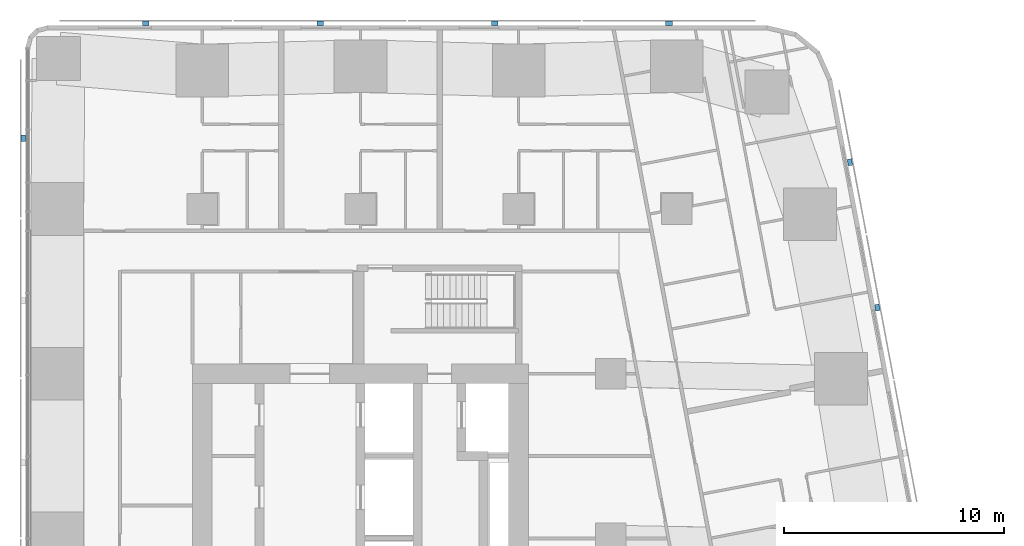
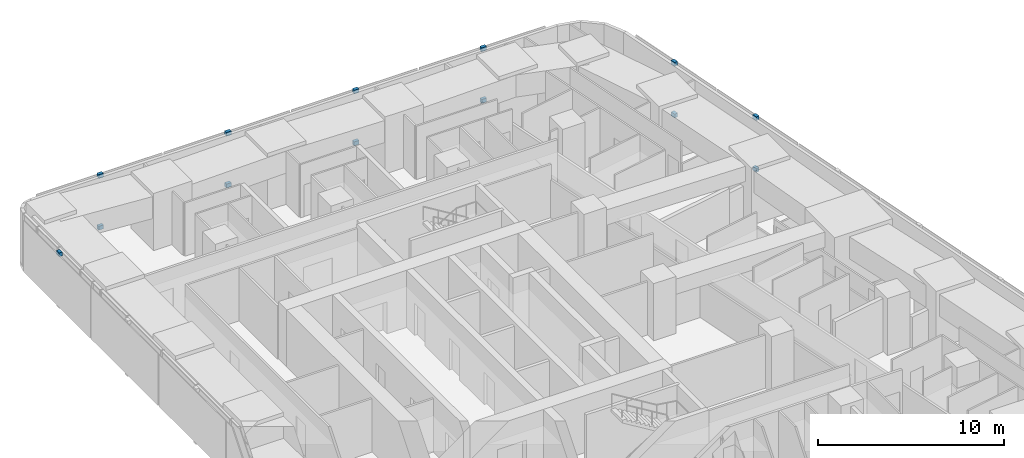
# One storey, part 15 of 17: 13 discrete accessories.
"""IFC4 building model written with IfcOpenShell, lengths in metres."""

import ifcopenshell
import ifcopenshell.guid

model = None  # the IFC model being written
_history = None  # IfcOwnerHistory: only IFC2X3 demands one
_inside = {}  # id of a spatial element -> (the spatial element, [elements in it])
_under = {}  # id of a project, library or spatial element -> (it, [spatial elements below it])
_declared = {}  # id of a project -> (the project, [libraries it declares])
_typed = {}  # id of a type object -> (the type object, [elements of that type])
_made_of = {}  # id of a material, layer set ... -> (it, [elements and type objects made of it])


def new_model(schema):
    """Start an empty IFC model of exactly this schema.

    Asked for "IFC4X3", IfcOpenShell would pick the latest addendum, in which some entities
    have other attributes; the version numbers below select the first issue.
    IFC2X3 requires an IfcOwnerHistory on every rooted entity: one is made here for all.
    """
    global model, _history
    if schema == "IFC4X3":
        model = ifcopenshell.file(schema_version=(4, 3, 0, 0))
    else:
        model = ifcopenshell.file(schema=schema)
    _inside.clear()
    _under.clear()
    _declared.clear()
    _typed.clear()
    _made_of.clear()
    _history = None
    if model.schema == "IFC2X3":
        org = make("IfcOrganization", Name="unknown")
        user = make(
            "IfcPersonAndOrganization",
            ThePerson=make("IfcPerson", FamilyName="unknown"),
            TheOrganization=org,
        )
        app = make(
            "IfcApplication",
            ApplicationDeveloper=org,
            Version="unknown",
            ApplicationFullName="unknown",
            ApplicationIdentifier="unknown",
        )
        _history = make(
            "IfcOwnerHistory",
            OwningUser=user,
            OwningApplication=app,
            ChangeAction="ADDED",
            CreationDate=0,
        )
    return model


def make(cls, **values):
    """One entity of the class cls with the attributes given. An attribute that is None is left unset."""
    return model.create_entity(
        cls, **{name: value for name, value in values.items() if value is not None}
    )


def rooted(cls, **values):
    """An entity with a GlobalId (a new one), such as an element, a storey or a relation."""
    return make(cls, GlobalId=ifcopenshell.guid.new(), OwnerHistory=_history, **values)


def si_unit(unit_type, name, prefix=None):
    """IfcSIUnit, for example si_unit("LENGTHUNIT", "METRE", prefix="MILLI")."""
    return make("IfcSIUnit", UnitType=unit_type, Prefix=prefix, Name=name)


def assignment(units):
    """IfcUnitAssignment: the units of a project."""
    return None if units is None else make("IfcUnitAssignment", Units=units)


def point(xyz):
    """IfcCartesianPoint."""
    return None if xyz is None else make("IfcCartesianPoint", Coordinates=xyz)


def direction(xyz):
    """IfcDirection."""
    return None if xyz is None else make("IfcDirection", DirectionRatios=xyz)


def frame(location, z_axis=None, x_axis=None):
    """IfcAxis2Placement3D, a coordinate frame: its origin and axes. An axis left out is left unset."""
    return make(
        "IfcAxis2Placement3D",
        Location=point(location),
        Axis=direction(z_axis),
        RefDirection=direction(x_axis),
    )


def frame_2d(location, x_axis=None):
    """IfcAxis2Placement2D, a coordinate frame in the plane: its origin and x axis."""
    return make(
        "IfcAxis2Placement2D", Location=point(location), RefDirection=direction(x_axis)
    )


def origin():
    """The frame at (0, 0, 0) with its axes left unset."""
    return frame((0.0, 0.0, 0.0))


def origin_2d():
    """The frame at (0, 0) in the plane with its x axis left unset."""
    return frame_2d((0.0, 0.0))


def place(relative_to, where):
    """IfcLocalPlacement: puts the frame where relative to a parent placement (None: the world)."""
    return make(
        "IfcLocalPlacement", PlacementRelTo=relative_to, RelativePlacement=where
    )


def context(
    kind, dimensions, precision=None, world=None, true_north=None, identifier=None
):
    """IfcGeometricRepresentationContext, for example the 3D "Model" context."""
    return make(
        "IfcGeometricRepresentationContext",
        ContextIdentifier=identifier,
        ContextType=kind,
        CoordinateSpaceDimension=dimensions,
        Precision=precision,
        WorldCoordinateSystem=world,
        TrueNorth=true_north,
    )


def subcontext(parent, identifier, kind, view, scale=None):
    """IfcGeometricRepresentationSubContext, for example "Body" below "Model"."""
    return make(
        "IfcGeometricRepresentationSubContext",
        ContextIdentifier=identifier,
        ContextType=kind,
        ParentContext=parent,
        TargetScale=scale,
        TargetView=view,
    )


def project(units=None, contexts=None):
    """IfcProject with its units and contexts."""
    return rooted(
        "IfcProject",
        Name="project",
        RepresentationContexts=contexts,
        UnitsInContext=assignment(units),
    )


def spatial(cls, under=None, at=None, **own):
    """A site, building, storey or space (cls), placed at a placement, below another one or the project."""
    s = rooted(cls, ObjectPlacement=at, **own)
    if under is not None:
        _under.setdefault(under.id(), (under, []))[1].append(s)
    return s


def profile(cls, at=None, kind="AREA", **sizes):
    """A parametric profile (cls). Its sizes go by their IFC names, for example OverallWidth=200.0."""
    return make(cls, ProfileType=kind, Position=at, **sizes)


def rectangle(**sizes):
    """IfcRectangleProfileDef."""
    return profile("IfcRectangleProfileDef", **sizes)


def extrude(swept, where, along, depth):
    """IfcExtrudedAreaSolid: the profile swept, set in the frame where, extruded along a direction by depth."""
    return make(
        "IfcExtrudedAreaSolid",
        SweptArea=swept,
        Position=where,
        ExtrudedDirection=direction(along),
        Depth=depth,
    )


def shape(context_of_items, identifier, shape_type, items):
    """IfcShapeRepresentation: the items that make up one representation, for example the "Body"."""
    return make(
        "IfcShapeRepresentation",
        ContextOfItems=context_of_items,
        RepresentationIdentifier=identifier,
        RepresentationType=shape_type,
        Items=items,
    )


def material(Name=None, Category=None):
    """IfcMaterial."""
    return make("IfcMaterial", Name=Name, Category=Category)


def made_of(thing, what):
    """Note that an element or type object is made of a material, layer set ...; save() writes the relation."""
    if what is not None:
        _made_of.setdefault(what.id(), (what, []))[1].append(thing)
    return thing


def type_object(cls, material=None, **own):
    """A type object (cls), such as IfcWallType, which elements share."""
    return made_of(rooted(cls, **own), material)


def element(
    cls,
    number,
    at=None,
    inside=None,
    cuts=None,
    type_object=None,
    material=None,
    context=None,
    identifier="Body",
    shape_type=None,
    held_by="IfcProductDefinitionShape",
    body=None,
    shapes=None,
    **own,
):
    """One element of the class cls, such as IfcWall. Its Tag is "e" and its number.

    at: its placement. inside: the storey or other place that contains it. cuts: it is an
    opening in that element (IfcRelVoidsElement). A single representation is given by context,
    identifier, shape_type and body (its items); several are given by shapes. held_by: the class
    of the entity that holds the representations. save() writes the other relations.
    """
    e = rooted(cls, Tag="e%d" % number, ObjectPlacement=at, **own)
    if body is not None:
        shapes = [shape(context, identifier, shape_type, body)]
    if shapes is not None:
        e.Representation = make(held_by, Representations=shapes)
    if inside is not None:
        _inside.setdefault(inside.id(), (inside, []))[1].append(e)
    if cuts is not None:
        rooted(
            "IfcRelVoidsElement", RelatingBuildingElement=cuts, RelatedOpeningElement=e
        )
    if type_object is not None:
        _typed.setdefault(type_object.id(), (type_object, []))[1].append(e)
    return made_of(e, material)


def aggregate(whole, parts):
    """IfcRelAggregates: a whole, such as a stair, and the parts it consists of."""
    return rooted("IfcRelAggregates", RelatingObject=whole, RelatedObjects=parts)


def save(model, path):
    """Write the relations noted so far, then the file.

    IfcRelAggregates (storeys below a building ...), IfcRelContainedInSpatialStructure (elements
    in a storey), IfcRelDefinesByType, IfcRelAssociatesMaterial and IfcRelDeclares: one each for
    every whole, place, type object, material and project.
    """
    for whole, parts in _under.values():
        aggregate(whole, parts)
    for where, things in _inside.values():
        rooted(
            "IfcRelContainedInSpatialStructure",
            RelatedElements=things,
            RelatingStructure=where,
        )
    for kind, things in _typed.values():
        rooted("IfcRelDefinesByType", RelatedObjects=things, RelatingType=kind)
    for what, things in _made_of.values():
        rooted("IfcRelAssociatesMaterial", RelatedObjects=things, RelatingMaterial=what)
    for by, libraries in _declared.values():
        rooted("IfcRelDeclares", RelatingContext=by, RelatedDefinitions=libraries)
    model.write(path)


model = new_model("IFC4")

# Units and contexts
model_context = context("Model", 3, precision=1e-05, world=origin(), true_north=direction((0.0, 1.0)))
body_context = subcontext(model_context, "Body", "Model", "MODEL_VIEW")
ifc_project = project(units=[si_unit("LENGTHUNIT", "METRE"), si_unit("AREAUNIT", "SQUARE_METRE"), si_unit("VOLUMEUNIT", "CUBIC_METRE"), si_unit("PLANEANGLEUNIT", "RADIAN"), si_unit("MASSUNIT", "GRAM", prefix="KILO")], contexts=[model_context])

# Site, building, storey
site_placement = place(None, origin())
site = spatial("IfcSite", under=ifc_project, at=site_placement, CompositionType="ELEMENT")
building_placement = place(site_placement, origin())
building = spatial("IfcBuilding", under=site, at=building_placement, Name="Sheger Commons Tower", CompositionType="ELEMENT")
storey_placement = place(building_placement, frame((0.0, 0.0, 208.699951171875)))
storey = spatial("IfcBuildingStorey", under=building, at=storey_placement, Name="L53", CompositionType="ELEMENT", Elevation=208.699951171875)

# Discrete accessories
ifc_material = material(Name="Black painted steel bracket", Category="steel")
discrete_accessory_type = type_object("IfcDiscreteAccessoryType", Name="SCREEN BRACKET 300x200x250", PredefinedType="BRACKET", material=ifc_material)
for number, where, z_axis, x_axis, name in (
    (1, (45.133056640625, 33.0048828125, -0.099853515625), (0.0, 0.0, 1.0), (-0.185615165645, 0.982622516678, 0.0), "Solar screen foot bracket"),
    (2, (45.133056640625, 33.0048828125, 3.300048828125), (0.0, 0.0, 1.0), (-0.185615165645, 0.982622516678, 0.0), "Solar screen head bracket"),
    (3, (43.882080078125, 39.6240234375, -0.099853515625), (0.0, 0.0, 1.0), (-0.185615165645, 0.982622516678, 0.0), "Solar screen foot bracket"),
    (4, (43.882080078125, 39.6240234375, 3.300048828125), (0.0, 0.0, 1.0), (-0.185615165645, 0.982622516678, 0.0), "Solar screen head bracket"),
    (5, (35.64697265625, 45.949951171875, -0.099853515625), (0.0, 0.0, 1.0), (-1.0, 0.0, 0.0), "Solar screen foot bracket"),
    (6, (35.64697265625, 45.949951171875, 3.300048828125), (0.0, 0.0, 1.0), (-1.0, 0.0, 0.0), "Solar screen head bracket"),
    (7, (27.705078125, 45.949951171875, -0.099853515625), (0.0, 0.0, 1.0), (-1.0, 0.0, 0.0), "Solar screen foot bracket"),
    (8, (27.705078125, 45.949951171875, 3.300048828125), (0.0, 0.0, 1.0), (-1.0, 0.0, 0.0), "Solar screen head bracket"),
    (9, (19.762939453125, 45.949951171875, -0.099853515625), (0.0, 0.0, 1.0), (-1.0, 0.0, 0.0), "Solar screen foot bracket"),
    (10, (19.762939453125, 45.949951171875, 3.300048828125), (0.0, 0.0, 1.0), (-1.0, 0.0, 0.0), "Solar screen head bracket"),
    (11, (11.821044921875, 45.949951171875, -0.099853515625), (0.0, 0.0, 1.0), (-1.0, 0.0, 0.0), "Solar screen foot bracket"),
    (12, (11.821044921875, 45.949951171875, 3.300048828125), (0.0, 0.0, 1.0), (-1.0, 0.0, 0.0), "Solar screen head bracket"),
    (13, (6.25, 40.7080078125, 3.300048828125), (0.0, 0.0, 1.0), (0.0, -1.0, 0.0), "Solar screen head bracket"),
):
    element("IfcDiscreteAccessory", number, at=place(storey_placement, frame(where, z_axis=z_axis, x_axis=x_axis)), inside=storey, type_object=discrete_accessory_type, Name=name, PredefinedType="BRACKET", context=body_context, shape_type="SweptSolid", body=[
        extrude(rectangle(XDim=0.300048828125, YDim=0.199951171875, at=origin_2d()), origin(), (0.0, 0.0, 1.0), 0.25),
    ])

save(model, "model.ifc")
